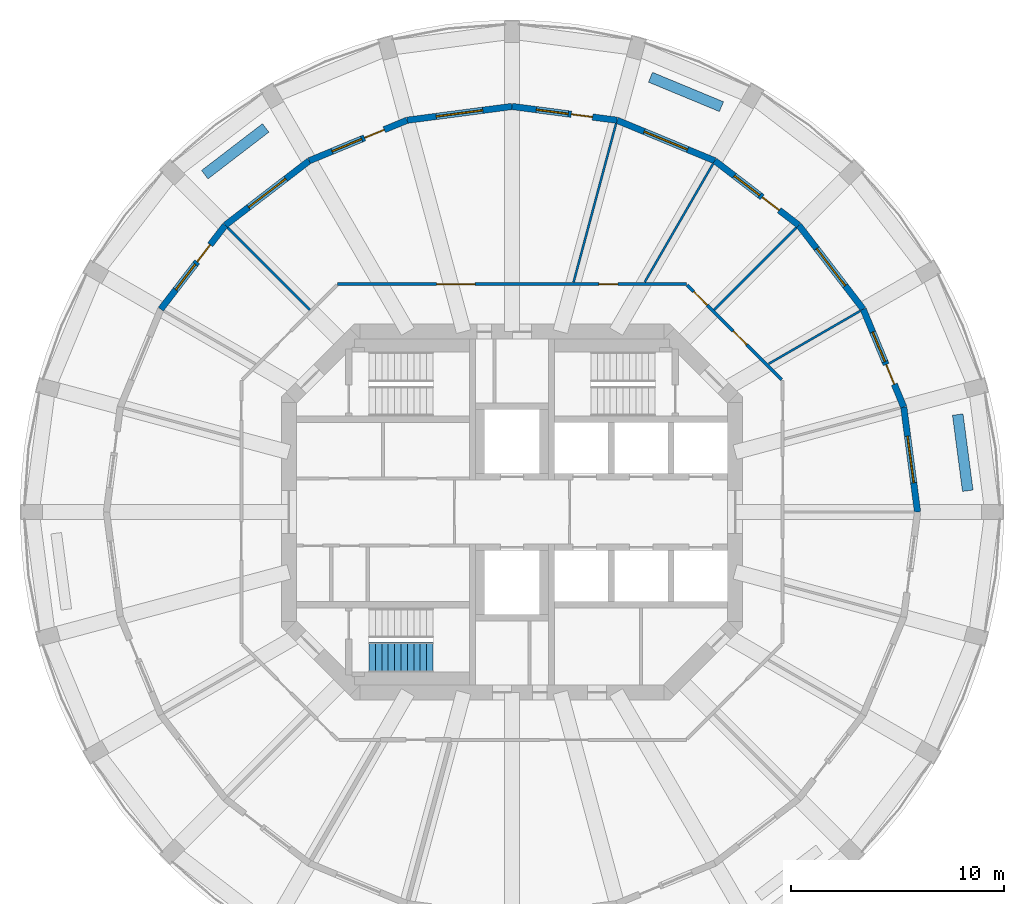
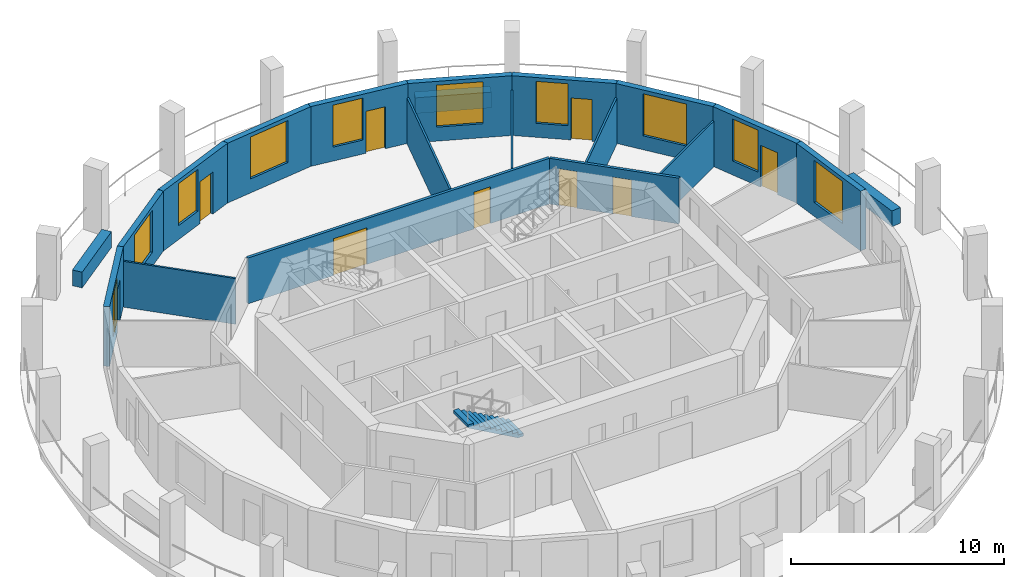
# One storey, part 6 of 9: 20 walls, 10 windows, 9 doors, 1 stair flight, 19 openings, 1 element without a shape of its own.
"""IFC4 building model written with IfcOpenShell, lengths in metres."""

from ifc_helpers import new_model, si_unit, direction, frame, frame_2d, origin, place, context, subcontext, project, spatial, polyline, rectangle, outline, extrude, material, layer, layer_set, type_object, element, fill, aggregate, save


model = new_model("IFC4")

# Units and contexts
model_context = context("Model", 3, precision=1e-05, world=origin(), true_north=direction((0.0, 1.0)))
body_context = subcontext(model_context, "Body", "Model", "MODEL_VIEW")
ifc_project = project(units=[si_unit("LENGTHUNIT", "METRE"), si_unit("AREAUNIT", "SQUARE_METRE"), si_unit("VOLUMEUNIT", "CUBIC_METRE"), si_unit("PLANEANGLEUNIT", "RADIAN"), si_unit("MASSUNIT", "GRAM", prefix="KILO")], contexts=[model_context])

# Site, building, storey
site_placement = place(None, origin())
site = spatial("IfcSite", under=ifc_project, at=site_placement, CompositionType="ELEMENT")
building_placement = place(site_placement, origin())
building = spatial("IfcBuilding", under=site, at=building_placement, Name="Torre Triforio", CompositionType="ELEMENT")
storey_placement = place(building_placement, frame((0.0, 0.0, 161.60009765625)))
storey = spatial("IfcBuildingStorey", under=building, at=storey_placement, Name="L36", CompositionType="ELEMENT", Elevation=161.60009765625)

# Wall, openings, doors
ifc_material_1 = material(Name="Plasterboard on metal studs")
ifc_layer_1 = layer(ifc_material_1, 0.14990234375)
ifc_layer_set_1 = layer_set([ifc_layer_1], Name="Plasterboard on metal studs")
wall_type_1 = type_object("IfcWallType", Name="Corridor and tenancy wall 150 mm EI 60", PredefinedType="PARTITIONING", material=ifc_layer_set_1)
wall_1_placement = place(storey_placement, frame((-8.16650390625, 10.675048828125, 0.0), z_axis=(0.0, 0.0, 1.0), x_axis=(1.0, 0.0, 0.0)))
wall_1 = element("IfcWall", 1, at=wall_1_placement, inside=storey, type_object=wall_type_1, Name="Partition 8", PredefinedType="PARTITIONING", context=body_context, shape_type="SweptSolid", body=[
    extrude(rectangle(XDim=16.3330078125, YDim=0.14990234375, at=frame_2d((8.16650390625, 0.0))), origin(), (0.0, 0.0, 1.0), 2.619873046875),
])
opening_1_placement = place(wall_1_placement, frame((12.232421875, 0.0, 0.0)))
opening_1 = element("IfcOpeningElement", 2, at=opening_1_placement, cuts=wall_1, Name="Opening O1-05", PredefinedType="OPENING", context=body_context, shape_type="SweptSolid", body=[
    extrude(rectangle(XDim=0.89990234375, YDim=2.10009765625, at=frame_2d((0.449951171875, 1.050048828125))), frame((0.0, 0.0849609375, 0.0), z_axis=(0.0, -1.0, 0.0), x_axis=(1.0, 0.0, 0.0)), (0.0, 0.0, 1.0), 0.169921875),
])
opening_2_placement = place(wall_1_placement, frame((4.639404296875, 0.0, 0.0)))
opening_2 = element("IfcOpeningElement", 3, at=opening_2_placement, cuts=wall_1, Name="Opening O1-06", PredefinedType="OPENING", context=body_context, shape_type="SweptSolid", body=[
    extrude(rectangle(XDim=1.800048828125, YDim=2.10009765625, at=frame_2d((0.89990234375, 1.050048828125))), frame((0.0, 0.0849609375, 0.0), z_axis=(0.0, -1.0, 0.0), x_axis=(1.0, 0.0, 0.0)), (0.0, 0.0, 1.0), 0.169921875),
])
ifc_material_2 = material(Name="Timber", Category="wood")
door_type_1 = type_object("IfcDoorType", Name="Door 1800 x 2100 double leaf EI 30", OperationType="DOUBLE_DOOR_SINGLE_SWING", PredefinedType="DOOR", material=ifc_material_2)
door_1_placement = place(opening_2_placement, origin())
door_1 = element("IfcDoor", 4, at=door_1_placement, inside=storey, type_object=door_type_1, Name="Door O1-06", OperationType="DOUBLE_DOOR_SINGLE_SWING", OverallHeight=2.10009765625, OverallWidth=1.800048828125, PredefinedType="DOOR", context=body_context, shape_type="SweptSolid", body=[
    extrude(rectangle(XDim=1.800048828125, YDim=2.10009765625, at=frame_2d((0.89990234375, 1.050048828125))), frame((0.0, 0.02490234375, 0.0), z_axis=(0.0, -1.0, 0.0), x_axis=(1.0, 0.0, 0.0)), (0.0, 0.0, 1.0), 0.050048828125),
])
fill(opening_2, door_1)
door_type_2 = type_object("IfcDoorType", Name="Door 900 x 2100 single leaf EI 30", OperationType="NOTDEFINED", PredefinedType="DOOR", material=ifc_material_2)
door_2_placement = place(opening_1_placement, origin())
door_2 = element("IfcDoor", 5, at=door_2_placement, inside=storey, type_object=door_type_2, Name="Door O1-05", OperationType="SINGLE_SWING_LEFT", OverallHeight=2.10009765625, OverallWidth=0.89990234375, PredefinedType="DOOR", context=body_context, shape_type="SweptSolid", body=[
    extrude(rectangle(XDim=0.89990234375, YDim=2.10009765625, at=frame_2d((0.449951171875, 1.050048828125))), frame((0.0, 0.02490234375, 0.0), z_axis=(0.0, -1.0, 0.0), x_axis=(1.0, 0.0, 0.0)), (0.0, 0.0, 1.0), 0.050048828125),
])
fill(opening_1, door_2)

wall_2_placement = place(storey_placement, frame((8.20361328125, 10.637939453125, 0.0), z_axis=(0.0, 0.0, 1.0), x_axis=(0.707106781187, -0.707106781187, 0.0)))
wall_2 = element("IfcWall", 6, at=wall_2_placement, inside=storey, type_object=wall_type_1, Name="Partition 9", PredefinedType="PARTITIONING", context=body_context, shape_type="SweptSolid", body=[
    extrude(rectangle(XDim=6.27099609375, YDim=0.14990234375, at=frame_2d((3.135498046875, 0.0))), origin(), (0.0, 0.0, 1.0), 2.619873046875),
])
opening_3_placement = place(wall_2_placement, frame((3.056884765625, 0.0, 0.0)))
opening_3 = element("IfcOpeningElement", 7, at=opening_3_placement, cuts=wall_2, Name="Opening O1-03", PredefinedType="OPENING", context=body_context, shape_type="SweptSolid", body=[
    extrude(rectangle(XDim=0.89990234375, YDim=2.10009765625, at=frame_2d((0.449951171875, 1.050048828125))), frame((0.0, 0.0849609375, 0.0), z_axis=(0.0, -1.0, 0.0), x_axis=(1.0, 0.0, 0.0)), (0.0, 0.0, 1.0), 0.169921875),
])
opening_4_placement = place(wall_2_placement, frame((0.435546875, 0.0, 0.0)))
opening_4 = element("IfcOpeningElement", 8, at=opening_4_placement, cuts=wall_2, Name="Opening O1-04", PredefinedType="OPENING", context=body_context, shape_type="SweptSolid", body=[
    extrude(rectangle(XDim=0.89990234375, YDim=2.10009765625, at=frame_2d((0.449951171875, 1.050048828125))), frame((0.0, 0.0849609375, 0.0), z_axis=(0.0, -1.0, 0.0), x_axis=(1.0, 0.0, 0.0)), (0.0, 0.0, 1.0), 0.169921875),
])
door_3_placement = place(opening_3_placement, origin())
door_3 = element("IfcDoor", 9, at=door_3_placement, inside=storey, type_object=door_type_2, Name="Door O1-03", OperationType="SINGLE_SWING_LEFT", OverallHeight=2.10009765625, OverallWidth=0.89990234375, PredefinedType="DOOR", context=body_context, shape_type="SweptSolid", body=[
    extrude(rectangle(XDim=0.89990234375, YDim=2.10009765625, at=frame_2d((0.449951171875, 1.050048828125))), frame((0.0, 0.02490234375, 0.0), z_axis=(0.0, -1.0, 0.0), x_axis=(1.0, 0.0, 0.0)), (0.0, 0.0, 1.0), 0.050048828125),
])
fill(opening_3, door_3)
door_4_placement = place(opening_4_placement, origin())
door_4 = element("IfcDoor", 10, at=door_4_placement, inside=storey, type_object=door_type_2, Name="Door O1-04", OperationType="SINGLE_SWING_LEFT", OverallHeight=2.10009765625, OverallWidth=0.89990234375, PredefinedType="DOOR", context=body_context, shape_type="SweptSolid", body=[
    extrude(rectangle(XDim=0.89990234375, YDim=2.10009765625, at=frame_2d((0.449951171875, 1.050048828125))), frame((0.0, 0.02490234375, 0.0), z_axis=(0.0, -1.0, 0.0), x_axis=(1.0, 0.0, 0.0)), (0.0, 0.0, 1.0), 0.050048828125),
])
fill(opening_4, door_4)

# Walls
ifc_layer_2 = layer(ifc_material_1, 0.10009765625)
ifc_layer_set_2 = layer_set([ifc_layer_2], Name="Plasterboard on metal studs")
wall_type_2 = type_object("IfcWallType", Name="Partition 100 mm board on metal studs", PredefinedType="PARTITIONING", material=ifc_layer_set_2)
wall_3_placement = place(storey_placement, frame((12.025146484375, 6.94287109375, 0.0), z_axis=(0.0, 0.0, 1.0), x_axis=(0.866025463095, 0.499999897272, 0.0)))
element("IfcWall", 11, at=wall_3_placement, inside=storey, type_object=wall_type_2, Name="Partition 13", PredefinedType="PARTITIONING", context=body_context, shape_type="SweptSolid", body=[
    extrude(rectangle(XDim=4.951171875, YDim=0.10009765625, at=frame_2d((2.4755859375, 0.0))), origin(), (0.0, 0.0, 1.0), 2.619873046875),
])
wall_4_placement = place(storey_placement, frame((9.473876953125, 9.473876953125, 0.0), z_axis=(0.0, 0.0, 1.0), x_axis=(0.707106781187, 0.707106781187, 0.0)))
element("IfcWall", 12, at=wall_4_placement, inside=storey, type_object=wall_type_2, Name="Partition 14", PredefinedType="PARTITIONING", context=body_context, shape_type="SweptSolid", body=[
    extrude(rectangle(XDim=5.438720703125, YDim=0.10009765625, at=frame_2d((2.71923828125, 0.0))), origin(), (0.0, 0.0, 1.0), 2.619873046875),
])
wall_5_placement = place(storey_placement, frame((6.220703125, 10.774658203125, 0.0), z_axis=(0.0, 0.0, 1.0), x_axis=(0.500023166934, 0.866012027936, 0.0)))
element("IfcWall", 13, at=wall_5_placement, inside=storey, type_object=wall_type_2, Name="Partition 15", PredefinedType="PARTITIONING", context=body_context, shape_type="SweptSolid", body=[
    extrude(rectangle(XDim=6.395263671875, YDim=0.10009765625, at=frame_2d((3.19775390625, 0.0))), origin(), (0.0, 0.0, 1.0), 2.619873046875),
])
wall_6_placement = place(storey_placement, frame((2.88427734375, 10.764404296875, 0.0), z_axis=(0.0, 0.0, 1.0), x_axis=(0.25881804804, 0.965926093451, 0.0)))
element("IfcWall", 14, at=wall_6_placement, inside=storey, type_object=wall_type_2, Name="Partition 16", PredefinedType="PARTITIONING", context=body_context, shape_type="SweptSolid", body=[
    extrude(rectangle(XDim=7.692626953125, YDim=0.10009765625, at=frame_2d((3.84619140625, 0.0))), origin(), (0.0, 0.0, 1.0), 2.619873046875),
])
wall_7_placement = place(storey_placement, frame((-9.473876953125, 9.473876953125, 0.0), z_axis=(0.0, 0.0, 1.0), x_axis=(-0.707106781187, 0.707106781187, 0.0)))
element("IfcWall", 15, at=wall_7_placement, inside=storey, type_object=wall_type_2, Name="Partition 17", PredefinedType="PARTITIONING", context=body_context, shape_type="SweptSolid", body=[
    extrude(rectangle(XDim=5.438720703125, YDim=0.10009765625, at=frame_2d((2.71923828125, 0.0))), origin(), (0.0, 0.0, 1.0), 2.619873046875),
])
ifc_material_3 = material(Name="Limestone cladding", Category="masonry")
ifc_layer_3 = layer(ifc_material_3, 0.10009765625)
ifc_material_4 = material(Name="Concrete C40", Category="concrete")
ifc_layer_4 = layer(ifc_material_4, 0.39990234375)
ifc_layer_set_3 = layer_set([ifc_layer_3, ifc_layer_4], Name="Limestone cladding / Concrete C40")
wall_type_3 = type_object("IfcWallType", Name="Planter wall 500", PredefinedType="PARAPET", material=ifc_layer_set_3)
for number, where, z_axis, x_axis, name in (
    (16, (21.352783203125, 0.99560546875, 0.0), (0.0, 0.0, 1.0), (-0.130551000099, 0.991441595039, 0.0), "Planter L36 bay 01"),
    (17, (9.814208984375, 18.98974609375, 0.0), (0.0, 0.0, 1.0), (-0.923875488976, 0.382693194178, 0.0), "Planter L36 bay 05"),
):
    element("IfcWall", number, at=place(storey_placement, frame(where, z_axis=z_axis, x_axis=x_axis)), inside=storey, type_object=wall_type_3, Name=name, PredefinedType="PARAPET", context=body_context, shape_type="SweptSolid", body=[
        extrude(rectangle(XDim=3.599853515625, YDim=0.5, at=frame_2d((1.7998046875, 0.0))), origin(), (0.0, 0.0, 1.0), 0.89990234375),
    ])
wall_8_placement = place(storey_placement, frame((-11.53857421875, 17.994140625, 0.0), z_axis=(0.0, 0.0, 1.0), x_axis=(-0.793384730612, -0.608720518162, 0.0)))
element("IfcWall", 18, at=wall_8_placement, inside=storey, type_object=wall_type_3, Name="Planter L36 bay 09", PredefinedType="PARAPET", context=body_context, shape_type="SweptSolid", body=[
    extrude(rectangle(XDim=3.60009765625, YDim=0.5, at=frame_2d((1.800048828125, 0.0))), origin(), (0.0, 0.0, 1.0), 0.89990234375),
])

# Wall, opening, window
ifc_layer_5 = layer(ifc_material_3, 0.10009765625)
ifc_layer_6 = layer(ifc_material_4, 0.199951171875)
ifc_layer_set_4 = layer_set([ifc_layer_5, ifc_layer_6], Name="Limestone cladding / Concrete C40")
wall_type_4 = type_object("IfcWallType", Name="Stone-faced composite wall 300", PredefinedType="STANDARD", material=ifc_layer_set_4)
wall_9_placement = place(storey_placement, frame((19.0, 0.0, 0.0), z_axis=(0.0, 0.0, 1.0), x_axis=(-0.130538549191, 0.991443234469, 0.0)))
wall_9 = element("IfcWall", 19, at=wall_9_placement, inside=storey, type_object=wall_type_4, Name="External wall L36 bay 01", PredefinedType="STANDARD", context=body_context, shape_type="SweptSolid", body=[
    extrude(rectangle(XDim=4.9599609375, YDim=0.300048828125, at=frame_2d((2.47998046875, 0.0))), origin(), (0.0, 0.0, 1.0), 3.419921875),
])
opening_5_placement = place(wall_9_placement, frame((1.3798828125, 0.0, 0.800048828125)))
opening_5 = element("IfcOpeningElement", 20, at=opening_5_placement, cuts=wall_9, Name="Opening O1-W01", PredefinedType="OPENING", context=body_context, shape_type="SweptSolid", body=[
    extrude(rectangle(XDim=2.199951171875, YDim=2.39990234375, at=frame_2d((1.10009765625, 1.199951171875))), frame((0.0, 0.159912109375, 0.0), z_axis=(0.0, -1.0, 0.0), x_axis=(1.0, 0.0, 0.0)), (0.0, 0.0, 1.0), 0.320068359375),
])
ifc_material_5 = material(Name="Aluminium frame with clear double glazing", Category="aluminium")
window_type_1 = type_object("IfcWindowType", Name="Punched window 2200 x 2400", PartitioningType="DOUBLE_PANEL_VERTICAL", PredefinedType="WINDOW", material=ifc_material_5)
window_1_placement = place(opening_5_placement, origin())
window_1 = element("IfcWindow", 21, at=window_1_placement, inside=storey, type_object=window_type_1, Name="Window EWN5 L36 bay 01", OverallHeight=2.39990234375, OverallWidth=2.199951171875, PartitioningType="SINGLE_PANEL", PredefinedType="WINDOW", context=body_context, shape_type="SweptSolid", body=[
    extrude(rectangle(XDim=2.199951171875, YDim=2.39990234375, at=frame_2d((1.10009765625, 1.199951171875))), frame((0.0, 0.030029296875, 0.0), z_axis=(0.0, -1.0, 0.0), x_axis=(1.0, 0.0, 0.0)), (0.0, 0.0, 1.0), 0.06005859375),
])
fill(opening_5, window_1)

# Wall, openings, door, window
wall_10_placement = place(storey_placement, frame((18.3525390625, 4.91748046875, 0.0), z_axis=(0.0, 0.0, 1.0), x_axis=(-0.382650301762, 0.923893254961, 0.0)))
wall_10 = element("IfcWall", 22, at=wall_10_placement, inside=storey, type_object=wall_type_4, Name="External wall L36 bay 02", PredefinedType="STANDARD", context=body_context, shape_type="SweptSolid", body=[
    extrude(rectangle(XDim=4.9599609375, YDim=0.300048828125, at=frame_2d((2.47998046875, 0.0))), origin(), (0.0, 0.0, 1.0), 3.419921875),
])
opening_6_placement = place(wall_10_placement, frame((1.155029296875, 0.0, 0.0)))
opening_6 = element("IfcOpeningElement", 23, at=opening_6_placement, cuts=wall_10, Name="Opening O1-D02", PredefinedType="OPENING", context=body_context, shape_type="SweptSolid", body=[
    extrude(rectangle(XDim=1.0, YDim=2.39990234375, at=frame_2d((0.5, 1.199951171875))), frame((0.0, 0.159912109375, 0.0), z_axis=(0.0, -1.0, 0.0), x_axis=(1.0, 0.0, 0.0)), (0.0, 0.0, 1.0), 0.320068359375),
])
opening_7_placement = place(wall_10_placement, frame((2.304931640625, 0.0, 0.800048828125)))
opening_7 = element("IfcOpeningElement", 24, at=opening_7_placement, cuts=wall_10, Name="Opening O1-W02A", PredefinedType="OPENING", context=body_context, shape_type="SweptSolid", body=[
    extrude(rectangle(XDim=1.5, YDim=2.39990234375, at=frame_2d((0.75, 1.199951171875))), frame((0.0, 0.159912109375, 0.0), z_axis=(0.0, -1.0, 0.0), x_axis=(1.0, 0.0, 0.0)), (0.0, 0.0, 1.0), 0.320068359375),
])
door_type_3 = type_object("IfcDoorType", Name="Loggia door 1000 x 2400", OperationType="NOTDEFINED", PredefinedType="DOOR", material=ifc_material_5)
door_5_placement = place(opening_6_placement, origin())
door_5 = element("IfcDoor", 25, at=door_5_placement, inside=storey, type_object=door_type_3, Name="Loggia door L36 bay 02", OperationType="SINGLE_SWING_LEFT", OverallHeight=2.39990234375, OverallWidth=1.0, PredefinedType="DOOR", context=body_context, shape_type="SweptSolid", body=[
    extrude(rectangle(XDim=1.0, YDim=2.39990234375, at=frame_2d((0.5, 1.199951171875))), frame((0.0, 0.02490234375, 0.0), z_axis=(0.0, -1.0, 0.0), x_axis=(1.0, 0.0, 0.0)), (0.0, 0.0, 1.0), 0.050048828125),
])
fill(opening_6, door_5)
window_type_2 = type_object("IfcWindowType", Name="Side window 1500 x 2400", PartitioningType="SINGLE_PANEL", PredefinedType="WINDOW", material=ifc_material_5)
window_2_placement = place(opening_7_placement, origin())
window_2 = element("IfcWindow", 26, at=window_2_placement, inside=storey, type_object=window_type_2, Name="Side window EWN14 L36 bay 02", OverallHeight=2.39990234375, OverallWidth=1.5, PartitioningType="SINGLE_PANEL", PredefinedType="WINDOW", context=body_context, shape_type="SweptSolid", body=[
    extrude(rectangle(XDim=1.5, YDim=2.39990234375, at=frame_2d((0.75, 1.199951171875))), frame((0.0, 0.030029296875, 0.0), z_axis=(0.0, -1.0, 0.0), x_axis=(1.0, 0.0, 0.0)), (0.0, 0.0, 1.0), 0.06005859375),
])
fill(opening_7, window_2)

# Wall, opening, window
wall_11_placement = place(storey_placement, frame((16.45458984375, 9.5, 0.0), z_axis=(0.0, 0.0, 1.0), x_axis=(-0.608768356425, 0.793348024649, 0.0)))
wall_11 = element("IfcWall", 27, at=wall_11_placement, inside=storey, type_object=wall_type_4, Name="External wall L36 bay 03", PredefinedType="STANDARD", context=body_context, shape_type="SweptSolid", body=[
    extrude(rectangle(XDim=4.9599609375, YDim=0.300048828125, at=frame_2d((2.47998046875, 0.0))), origin(), (0.0, 0.0, 1.0), 3.419921875),
])
opening_8_placement = place(wall_11_placement, frame((1.3798828125, 0.0, 0.800048828125)))
opening_8 = element("IfcOpeningElement", 28, at=opening_8_placement, cuts=wall_11, Name="Opening O1-W03", PredefinedType="OPENING", context=body_context, shape_type="SweptSolid", body=[
    extrude(rectangle(XDim=2.199951171875, YDim=2.39990234375, at=frame_2d((1.10009765625, 1.199951171875))), frame((0.0, 0.159912109375, 0.0), z_axis=(0.0, -1.0, 0.0), x_axis=(1.0, 0.0, 0.0)), (0.0, 0.0, 1.0), 0.320068359375),
])
window_3_placement = place(opening_8_placement, origin())
window_3 = element("IfcWindow", 29, at=window_3_placement, inside=storey, type_object=window_type_1, Name="Window EWN5 L36 bay 03", OverallHeight=2.39990234375, OverallWidth=2.199951171875, PartitioningType="SINGLE_PANEL", PredefinedType="WINDOW", context=body_context, shape_type="SweptSolid", body=[
    extrude(rectangle(XDim=2.199951171875, YDim=2.39990234375, at=frame_2d((1.10009765625, 1.199951171875))), frame((0.0, 0.030029296875, 0.0), z_axis=(0.0, -1.0, 0.0), x_axis=(1.0, 0.0, 0.0)), (0.0, 0.0, 1.0), 0.06005859375),
])
fill(opening_8, window_3)

# Wall, openings, door, window
wall_12_placement = place(storey_placement, frame((13.43505859375, 13.43505859375, 0.0), z_axis=(0.0, 0.0, 1.0), x_axis=(-0.793348024649, 0.608768356425, 0.0)))
wall_12 = element("IfcWall", 30, at=wall_12_placement, inside=storey, type_object=wall_type_4, Name="External wall L36 bay 04", PredefinedType="STANDARD", context=body_context, shape_type="SweptSolid", body=[
    extrude(rectangle(XDim=4.9599609375, YDim=0.300048828125, at=frame_2d((2.47998046875, 0.0))), origin(), (0.0, 0.0, 1.0), 3.419921875),
])
opening_9_placement = place(wall_12_placement, frame((1.155029296875, 0.0, 0.0)))
opening_9 = element("IfcOpeningElement", 31, at=opening_9_placement, cuts=wall_12, Name="Opening O1-D04", PredefinedType="OPENING", context=body_context, shape_type="SweptSolid", body=[
    extrude(rectangle(XDim=1.0, YDim=2.39990234375, at=frame_2d((0.5, 1.199951171875))), frame((0.0, 0.159912109375, 0.0), z_axis=(0.0, -1.0, 0.0), x_axis=(1.0, 0.0, 0.0)), (0.0, 0.0, 1.0), 0.320068359375),
])
opening_10_placement = place(wall_12_placement, frame((2.304931640625, 0.0, 0.800048828125)))
opening_10 = element("IfcOpeningElement", 32, at=opening_10_placement, cuts=wall_12, Name="Opening O1-W04A", PredefinedType="OPENING", context=body_context, shape_type="SweptSolid", body=[
    extrude(rectangle(XDim=1.5, YDim=2.39990234375, at=frame_2d((0.75, 1.199951171875))), frame((0.0, 0.159912109375, 0.0), z_axis=(0.0, -1.0, 0.0), x_axis=(1.0, 0.0, 0.0)), (0.0, 0.0, 1.0), 0.320068359375),
])
door_6_placement = place(opening_9_placement, origin())
door_6 = element("IfcDoor", 33, at=door_6_placement, inside=storey, type_object=door_type_3, Name="Loggia door L36 bay 04", OperationType="SINGLE_SWING_LEFT", OverallHeight=2.39990234375, OverallWidth=1.0, PredefinedType="DOOR", context=body_context, shape_type="SweptSolid", body=[
    extrude(rectangle(XDim=1.0, YDim=2.39990234375, at=frame_2d((0.5, 1.199951171875))), frame((0.0, 0.02490234375, 0.0), z_axis=(0.0, -1.0, 0.0), x_axis=(1.0, 0.0, 0.0)), (0.0, 0.0, 1.0), 0.050048828125),
])
fill(opening_9, door_6)
window_4_placement = place(opening_10_placement, origin())
window_4 = element("IfcWindow", 34, at=window_4_placement, inside=storey, type_object=window_type_2, Name="Side window EWN14 L36 bay 04", OverallHeight=2.39990234375, OverallWidth=1.5, PartitioningType="SINGLE_PANEL", PredefinedType="WINDOW", context=body_context, shape_type="SweptSolid", body=[
    extrude(rectangle(XDim=1.5, YDim=2.39990234375, at=frame_2d((0.75, 1.199951171875))), frame((0.0, 0.030029296875, 0.0), z_axis=(0.0, -1.0, 0.0), x_axis=(1.0, 0.0, 0.0)), (0.0, 0.0, 1.0), 0.06005859375),
])
fill(opening_10, window_4)

# Wall, opening, window
wall_13_placement = place(storey_placement, frame((9.5, 16.45458984375, 0.0), z_axis=(0.0, 0.0, 1.0), x_axis=(-0.923893254961, 0.382650301762, 0.0)))
wall_13 = element("IfcWall", 35, at=wall_13_placement, inside=storey, type_object=wall_type_4, Name="External wall L36 bay 05", PredefinedType="STANDARD", context=body_context, shape_type="SweptSolid", body=[
    extrude(rectangle(XDim=4.9599609375, YDim=0.300048828125, at=frame_2d((2.47998046875, 0.0))), origin(), (0.0, 0.0, 1.0), 3.419921875),
])
opening_11_placement = place(wall_13_placement, frame((1.3798828125, 0.0, 0.800048828125)))
opening_11 = element("IfcOpeningElement", 36, at=opening_11_placement, cuts=wall_13, Name="Opening O1-W05", PredefinedType="OPENING", context=body_context, shape_type="SweptSolid", body=[
    extrude(rectangle(XDim=2.199951171875, YDim=2.39990234375, at=frame_2d((1.10009765625, 1.199951171875))), frame((0.0, 0.159912109375, 0.0), z_axis=(0.0, -1.0, 0.0), x_axis=(1.0, 0.0, 0.0)), (0.0, 0.0, 1.0), 0.320068359375),
])
window_5_placement = place(opening_11_placement, origin())
window_5 = element("IfcWindow", 37, at=window_5_placement, inside=storey, type_object=window_type_1, Name="Window EWN5 L36 bay 05", OverallHeight=2.39990234375, OverallWidth=2.199951171875, PartitioningType="SINGLE_PANEL", PredefinedType="WINDOW", context=body_context, shape_type="SweptSolid", body=[
    extrude(rectangle(XDim=2.199951171875, YDim=2.39990234375, at=frame_2d((1.10009765625, 1.199951171875))), frame((0.0, 0.030029296875, 0.0), z_axis=(0.0, -1.0, 0.0), x_axis=(1.0, 0.0, 0.0)), (0.0, 0.0, 1.0), 0.06005859375),
])
fill(opening_11, window_5)

# Wall, openings, door, window
wall_14_placement = place(storey_placement, frame((4.91748046875, 18.3525390625, 0.0), z_axis=(0.0, 0.0, 1.0), x_axis=(-0.991443234469, 0.130538549191, 0.0)))
wall_14 = element("IfcWall", 38, at=wall_14_placement, inside=storey, type_object=wall_type_4, Name="External wall L36 bay 06", PredefinedType="STANDARD", context=body_context, shape_type="SweptSolid", body=[
    extrude(rectangle(XDim=4.9599609375, YDim=0.300048828125, at=frame_2d((2.47998046875, 0.0))), origin(), (0.0, 0.0, 1.0), 3.419921875),
])
opening_12_placement = place(wall_14_placement, frame((1.155029296875, 0.0, 0.0)))
opening_12 = element("IfcOpeningElement", 39, at=opening_12_placement, cuts=wall_14, Name="Opening O1-D06", PredefinedType="OPENING", context=body_context, shape_type="SweptSolid", body=[
    extrude(rectangle(XDim=1.0, YDim=2.39990234375, at=frame_2d((0.5, 1.199951171875))), frame((0.0, 0.159912109375, 0.0), z_axis=(0.0, -1.0, 0.0), x_axis=(1.0, 0.0, 0.0)), (0.0, 0.0, 1.0), 0.320068359375),
])
opening_13_placement = place(wall_14_placement, frame((2.304931640625, 0.0, 0.800048828125)))
opening_13 = element("IfcOpeningElement", 40, at=opening_13_placement, cuts=wall_14, Name="Opening O1-W06A", PredefinedType="OPENING", context=body_context, shape_type="SweptSolid", body=[
    extrude(rectangle(XDim=1.5, YDim=2.39990234375, at=frame_2d((0.75, 1.199951171875))), frame((0.0, 0.159912109375, 0.0), z_axis=(0.0, -1.0, 0.0), x_axis=(1.0, 0.0, 0.0)), (0.0, 0.0, 1.0), 0.320068359375),
])
door_7_placement = place(opening_12_placement, origin())
door_7 = element("IfcDoor", 41, at=door_7_placement, inside=storey, type_object=door_type_3, Name="Loggia door L36 bay 06", OperationType="SINGLE_SWING_LEFT", OverallHeight=2.39990234375, OverallWidth=1.0, PredefinedType="DOOR", context=body_context, shape_type="SweptSolid", body=[
    extrude(rectangle(XDim=1.0, YDim=2.39990234375, at=frame_2d((0.5, 1.199951171875))), frame((0.0, 0.02490234375, 0.0), z_axis=(0.0, -1.0, 0.0), x_axis=(1.0, 0.0, 0.0)), (0.0, 0.0, 1.0), 0.050048828125),
])
fill(opening_12, door_7)
window_6_placement = place(opening_13_placement, origin())
window_6 = element("IfcWindow", 42, at=window_6_placement, inside=storey, type_object=window_type_2, Name="Side window EWN14 L36 bay 06", OverallHeight=2.39990234375, OverallWidth=1.5, PartitioningType="SINGLE_PANEL", PredefinedType="WINDOW", context=body_context, shape_type="SweptSolid", body=[
    extrude(rectangle(XDim=1.5, YDim=2.39990234375, at=frame_2d((0.75, 1.199951171875))), frame((0.0, 0.030029296875, 0.0), z_axis=(0.0, -1.0, 0.0), x_axis=(1.0, 0.0, 0.0)), (0.0, 0.0, 1.0), 0.06005859375),
])
fill(opening_13, window_6)

# Wall, opening, window
wall_15_placement = place(storey_placement, frame((0.0, 19.0, 0.0), z_axis=(0.0, 0.0, 1.0), x_axis=(-0.991443234469, -0.130538549191, 0.0)))
wall_15 = element("IfcWall", 43, at=wall_15_placement, inside=storey, type_object=wall_type_4, Name="External wall L36 bay 07", PredefinedType="STANDARD", context=body_context, shape_type="SweptSolid", body=[
    extrude(rectangle(XDim=4.9599609375, YDim=0.300048828125, at=frame_2d((2.47998046875, 0.0))), origin(), (0.0, 0.0, 1.0), 3.419921875),
])
opening_14_placement = place(wall_15_placement, frame((1.3798828125, 0.0, 0.800048828125)))
opening_14 = element("IfcOpeningElement", 44, at=opening_14_placement, cuts=wall_15, Name="Opening O1-W07", PredefinedType="OPENING", context=body_context, shape_type="SweptSolid", body=[
    extrude(rectangle(XDim=2.199951171875, YDim=2.39990234375, at=frame_2d((1.10009765625, 1.199951171875))), frame((0.0, 0.159912109375, 0.0), z_axis=(0.0, -1.0, 0.0), x_axis=(1.0, 0.0, 0.0)), (0.0, 0.0, 1.0), 0.320068359375),
])
window_7_placement = place(opening_14_placement, origin())
window_7 = element("IfcWindow", 45, at=window_7_placement, inside=storey, type_object=window_type_1, Name="Window EWN5 L36 bay 07", OverallHeight=2.39990234375, OverallWidth=2.199951171875, PartitioningType="SINGLE_PANEL", PredefinedType="WINDOW", context=body_context, shape_type="SweptSolid", body=[
    extrude(rectangle(XDim=2.199951171875, YDim=2.39990234375, at=frame_2d((1.10009765625, 1.199951171875))), frame((0.0, 0.030029296875, 0.0), z_axis=(0.0, -1.0, 0.0), x_axis=(1.0, 0.0, 0.0)), (0.0, 0.0, 1.0), 0.06005859375),
])
fill(opening_14, window_7)

# Wall, openings, door, window
wall_16_placement = place(storey_placement, frame((-4.91748046875, 18.3525390625, 0.0), z_axis=(0.0, 0.0, 1.0), x_axis=(-0.923893254961, -0.382650301762, 0.0)))
wall_16 = element("IfcWall", 46, at=wall_16_placement, inside=storey, type_object=wall_type_4, Name="External wall L36 bay 08", PredefinedType="STANDARD", context=body_context, shape_type="SweptSolid", body=[
    extrude(rectangle(XDim=4.9599609375, YDim=0.300048828125, at=frame_2d((2.47998046875, 0.0))), origin(), (0.0, 0.0, 1.0), 3.419921875),
])
opening_15_placement = place(wall_16_placement, frame((1.155029296875, 0.0, 0.0)))
opening_15 = element("IfcOpeningElement", 47, at=opening_15_placement, cuts=wall_16, Name="Opening O1-D08", PredefinedType="OPENING", context=body_context, shape_type="SweptSolid", body=[
    extrude(rectangle(XDim=1.0, YDim=2.39990234375, at=frame_2d((0.5, 1.199951171875))), frame((0.0, 0.159912109375, 0.0), z_axis=(0.0, -1.0, 0.0), x_axis=(1.0, 0.0, 0.0)), (0.0, 0.0, 1.0), 0.320068359375),
])
opening_16_placement = place(wall_16_placement, frame((2.304931640625, 0.0, 0.800048828125)))
opening_16 = element("IfcOpeningElement", 48, at=opening_16_placement, cuts=wall_16, Name="Opening O1-W08A", PredefinedType="OPENING", context=body_context, shape_type="SweptSolid", body=[
    extrude(rectangle(XDim=1.5, YDim=2.39990234375, at=frame_2d((0.75, 1.199951171875))), frame((0.0, 0.159912109375, 0.0), z_axis=(0.0, -1.0, 0.0), x_axis=(1.0, 0.0, 0.0)), (0.0, 0.0, 1.0), 0.320068359375),
])
door_8_placement = place(opening_15_placement, origin())
door_8 = element("IfcDoor", 49, at=door_8_placement, inside=storey, type_object=door_type_3, Name="Loggia door L36 bay 08", OperationType="SINGLE_SWING_LEFT", OverallHeight=2.39990234375, OverallWidth=1.0, PredefinedType="DOOR", context=body_context, shape_type="SweptSolid", body=[
    extrude(rectangle(XDim=1.0, YDim=2.39990234375, at=frame_2d((0.5, 1.199951171875))), frame((0.0, 0.02490234375, 0.0), z_axis=(0.0, -1.0, 0.0), x_axis=(1.0, 0.0, 0.0)), (0.0, 0.0, 1.0), 0.050048828125),
])
fill(opening_15, door_8)
window_8_placement = place(opening_16_placement, origin())
window_8 = element("IfcWindow", 50, at=window_8_placement, inside=storey, type_object=window_type_2, Name="Side window EWN14 L36 bay 08", OverallHeight=2.39990234375, OverallWidth=1.5, PartitioningType="SINGLE_PANEL", PredefinedType="WINDOW", context=body_context, shape_type="SweptSolid", body=[
    extrude(rectangle(XDim=1.5, YDim=2.39990234375, at=frame_2d((0.75, 1.199951171875))), frame((0.0, 0.030029296875, 0.0), z_axis=(0.0, -1.0, 0.0), x_axis=(1.0, 0.0, 0.0)), (0.0, 0.0, 1.0), 0.06005859375),
])
fill(opening_16, window_8)

# Wall, opening, window
wall_17_placement = place(storey_placement, frame((-9.5, 16.45458984375, 0.0), z_axis=(0.0, 0.0, 1.0), x_axis=(-0.793348024649, -0.608768356425, 0.0)))
wall_17 = element("IfcWall", 51, at=wall_17_placement, inside=storey, type_object=wall_type_4, Name="External wall L36 bay 09", PredefinedType="STANDARD", context=body_context, shape_type="SweptSolid", body=[
    extrude(rectangle(XDim=4.9599609375, YDim=0.300048828125, at=frame_2d((2.47998046875, 0.0))), origin(), (0.0, 0.0, 1.0), 3.419921875),
])
opening_17_placement = place(wall_17_placement, frame((1.3798828125, 0.0, 0.800048828125)))
opening_17 = element("IfcOpeningElement", 52, at=opening_17_placement, cuts=wall_17, Name="Opening O1-W09", PredefinedType="OPENING", context=body_context, shape_type="SweptSolid", body=[
    extrude(rectangle(XDim=2.199951171875, YDim=2.39990234375, at=frame_2d((1.10009765625, 1.199951171875))), frame((0.0, 0.159912109375, 0.0), z_axis=(0.0, -1.0, 0.0), x_axis=(1.0, 0.0, 0.0)), (0.0, 0.0, 1.0), 0.320068359375),
])
window_9_placement = place(opening_17_placement, origin())
window_9 = element("IfcWindow", 53, at=window_9_placement, inside=storey, type_object=window_type_1, Name="Window EWN5 L36 bay 09", OverallHeight=2.39990234375, OverallWidth=2.199951171875, PartitioningType="SINGLE_PANEL", PredefinedType="WINDOW", context=body_context, shape_type="SweptSolid", body=[
    extrude(rectangle(XDim=2.199951171875, YDim=2.39990234375, at=frame_2d((1.10009765625, 1.199951171875))), frame((0.0, 0.030029296875, 0.0), z_axis=(0.0, -1.0, 0.0), x_axis=(1.0, 0.0, 0.0)), (0.0, 0.0, 1.0), 0.06005859375),
])
fill(opening_17, window_9)

# Wall, openings, door, window
wall_18_placement = place(storey_placement, frame((-13.43505859375, 13.43505859375, 0.0), z_axis=(0.0, 0.0, 1.0), x_axis=(-0.608768356425, -0.793348024649, 0.0)))
wall_18 = element("IfcWall", 54, at=wall_18_placement, inside=storey, type_object=wall_type_4, Name="External wall L36 bay 10", PredefinedType="STANDARD", context=body_context, shape_type="SweptSolid", body=[
    extrude(rectangle(XDim=4.9599609375, YDim=0.300048828125, at=frame_2d((2.47998046875, 0.0))), origin(), (0.0, 0.0, 1.0), 3.419921875),
])
opening_18_placement = place(wall_18_placement, frame((1.155029296875, 0.0, 0.0)))
opening_18 = element("IfcOpeningElement", 55, at=opening_18_placement, cuts=wall_18, Name="Opening O1-D10", PredefinedType="OPENING", context=body_context, shape_type="SweptSolid", body=[
    extrude(rectangle(XDim=1.0, YDim=2.39990234375, at=frame_2d((0.5, 1.199951171875))), frame((0.0, 0.159912109375, 0.0), z_axis=(0.0, -1.0, 0.0), x_axis=(1.0, 0.0, 0.0)), (0.0, 0.0, 1.0), 0.320068359375),
])
opening_19_placement = place(wall_18_placement, frame((2.304931640625, 0.0, 0.800048828125)))
opening_19 = element("IfcOpeningElement", 56, at=opening_19_placement, cuts=wall_18, Name="Opening O1-W10A", PredefinedType="OPENING", context=body_context, shape_type="SweptSolid", body=[
    extrude(rectangle(XDim=1.5, YDim=2.39990234375, at=frame_2d((0.75, 1.199951171875))), frame((0.0, 0.159912109375, 0.0), z_axis=(0.0, -1.0, 0.0), x_axis=(1.0, 0.0, 0.0)), (0.0, 0.0, 1.0), 0.320068359375),
])
door_9_placement = place(opening_18_placement, origin())
door_9 = element("IfcDoor", 57, at=door_9_placement, inside=storey, type_object=door_type_3, Name="Loggia door L36 bay 10", OperationType="SINGLE_SWING_LEFT", OverallHeight=2.39990234375, OverallWidth=1.0, PredefinedType="DOOR", context=body_context, shape_type="SweptSolid", body=[
    extrude(rectangle(XDim=1.0, YDim=2.39990234375, at=frame_2d((0.5, 1.199951171875))), frame((0.0, 0.02490234375, 0.0), z_axis=(0.0, -1.0, 0.0), x_axis=(1.0, 0.0, 0.0)), (0.0, 0.0, 1.0), 0.050048828125),
])
fill(opening_18, door_9)
window_10_placement = place(opening_19_placement, origin())
window_10 = element("IfcWindow", 58, at=window_10_placement, inside=storey, type_object=window_type_2, Name="Side window EWN14 L36 bay 10", OverallHeight=2.39990234375, OverallWidth=1.5, PartitioningType="SINGLE_PANEL", PredefinedType="WINDOW", context=body_context, shape_type="SweptSolid", body=[
    extrude(rectangle(XDim=1.5, YDim=2.39990234375, at=frame_2d((0.75, 1.199951171875))), frame((0.0, 0.030029296875, 0.0), z_axis=(0.0, -1.0, 0.0), x_axis=(1.0, 0.0, 0.0)), (0.0, 0.0, 1.0), 0.06005859375),
])
fill(opening_19, window_10)

# Stair, stair flight
stair_type = type_object("IfcStairType", Name="STAIR HALF-TURN", PredefinedType="HALF_TURN_STAIR", material=ifc_material_4)
stair_placement = place(storey_placement, origin())
stair = element("IfcStair", 59, at=stair_placement, inside=storey, type_object=stair_type, Name="Exit stair 3", PredefinedType="HALF_TURN_STAIR")
stair_flight_type = type_object("IfcStairFlightType", Name="STAIR FLIGHT 1400", PredefinedType="STRAIGHT", material=ifc_material_4)
stair_flight_placement = place(storey_placement, frame((-3.699951171875, -6.800048828125, 1.849853515625), z_axis=(0.0, 0.0, 1.0), x_axis=(-1.0, 0.0, 0.0)))
stair_flight = element("IfcStairFlight", 60, at=stair_flight_placement, type_object=stair_flight_type, Name="ST3 flight 2", NumberOfRisers=11, NumberOfTreads=10, PredefinedType="STRAIGHT", RiserHeight=0.168181818, TreadLength=0.3, context=body_context, shape_type="SweptSolid", body=[
    extrude(outline(polyline([(0.0, 0.0), (0.0, 0.168212890625), (0.300048828125, 0.168212890625), (0.300048828125, 0.33642578125), (0.60009765625, 0.33642578125), (0.60009765625, 0.504638671875), (0.89990234375, 0.504638671875), (0.89990234375, 0.672607421875), (1.199951171875, 0.672607421875), (1.199951171875, 0.8408203125), (1.5, 0.8408203125), (1.5, 1.009033203125), (1.800048828125, 1.009033203125), (1.800048828125, 1.17724609375), (2.10009765625, 1.17724609375), (2.10009765625, 1.345458984375), (2.39990234375, 1.345458984375), (2.39990234375, 1.513671875), (2.699951171875, 1.513671875), (2.699951171875, 1.681884765625), (3.0, 1.681884765625), (3.0, 1.85009765625), (3.0, 1.510009765625), (0.306640625, 0.0), (0.0, 0.0)])), frame((0.0, 0.699951171875, 0.0), z_axis=(0.0, -1.0, 0.0), x_axis=(1.0, 0.0, 0.0)), (0.0, 0.0, 1.0), 1.39990234375),
])
aggregate(stair, [stair_flight])

save(model, "model.ifc")
